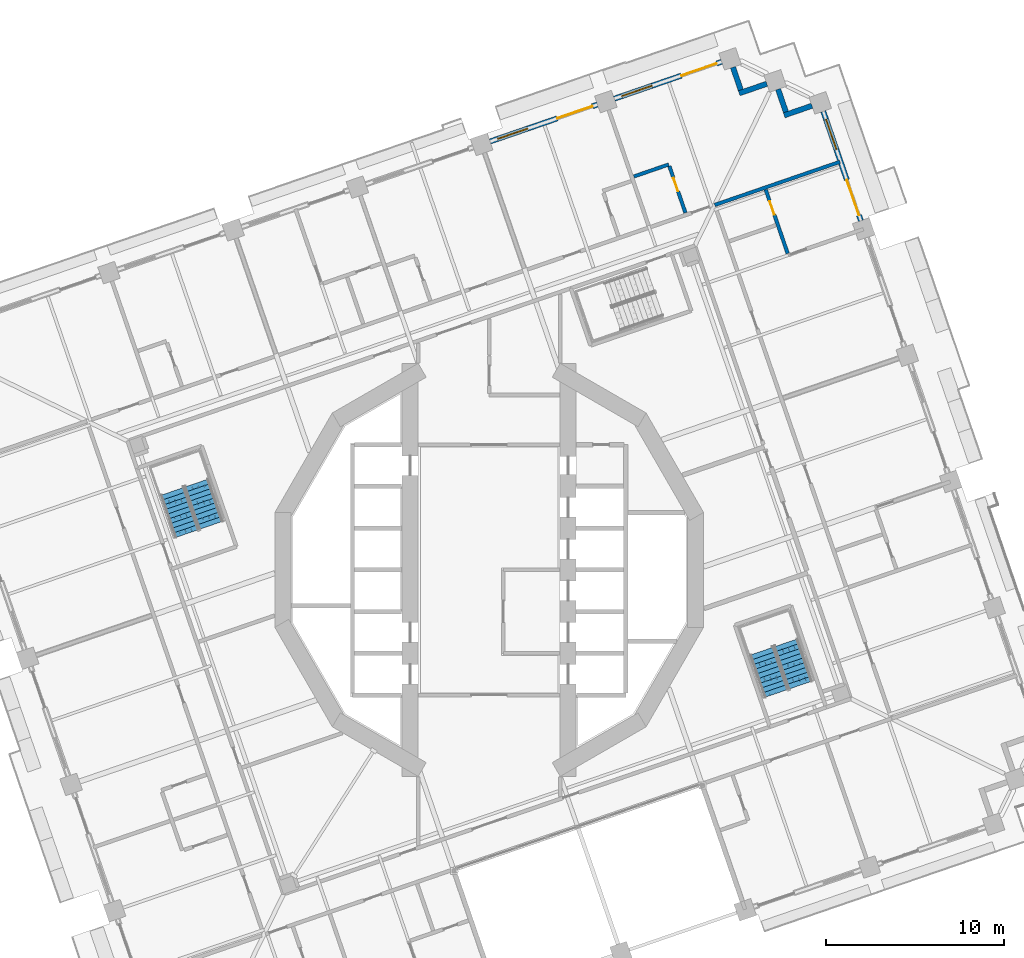
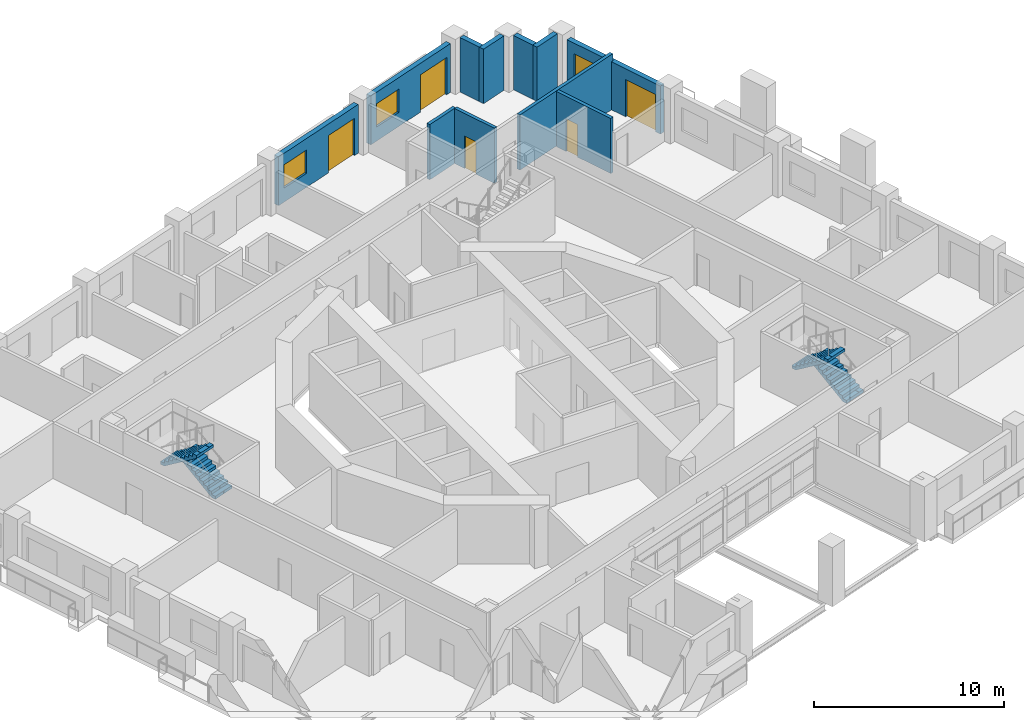
# One storey, part 14 of 22: 11 walls, 5 doors, 4 stair flights, 3 windows, 8 openings, 2 elements without a shape of their own.
"""IFC4 building model written with IfcOpenShell, lengths in metres."""

from ifc_helpers import new_model, si_unit, direction, frame, frame_2d, origin, place, context, subcontext, project, spatial, polyline, rectangle, outline, extrude, material, layer, layer_set, type_object, element, fill, aggregate, save


model = new_model("IFC4")

# Units and contexts
model_context = context("Model", 3, precision=1e-05, world=origin(), true_north=direction((0.0, 1.0)))
body_context = subcontext(model_context, "Body", "Model", "MODEL_VIEW")
ifc_project = project(units=[si_unit("LENGTHUNIT", "METRE"), si_unit("AREAUNIT", "SQUARE_METRE"), si_unit("VOLUMEUNIT", "CUBIC_METRE"), si_unit("PLANEANGLEUNIT", "RADIAN"), si_unit("MASSUNIT", "GRAM", prefix="KILO")], contexts=[model_context])

# Site, building, storey
site_placement = place(None, origin())
site = spatial("IfcSite", under=ifc_project, at=site_placement, CompositionType="ELEMENT")
building_placement = place(site_placement, origin())
building = spatial("IfcBuilding", under=site, at=building_placement, Name="Cantera Rosa Tower", CompositionType="ELEMENT")
storey_placement = place(building_placement, frame((0.0, 0.0, 104.10009765625)))
storey = spatial("IfcBuildingStorey", under=building, at=storey_placement, Name="L20", CompositionType="ELEMENT", Elevation=104.10009765625)

# Walls
ifc_material_1 = material(Name="Hollow clay masonry with cantera stone cladding", Category="masonry")
ifc_layer_1 = layer(ifc_material_1, 0.300048828125)
ifc_layer_set_1 = layer_set([ifc_layer_1], Name="EW-LOGGIA 300")
wall_type_1 = type_object("IfcWallType", Name="EW-LOGGIA 300", PredefinedType="SOLIDWALL", material=ifc_layer_set_1)
wall_1_placement = place(storey_placement, frame((18.17919921875, 26.142822265625, 0.0), z_axis=(0.0, 0.0, 1.0), x_axis=(-0.945530119553, -0.32553462645, 0.0)))
element("IfcWall", 1, at=wall_1_placement, inside=storey, type_object=wall_type_1, Name="EN-L20-W06a", PredefinedType="SOLIDWALL", context=body_context, shape_type="SweptSolid", body=[
    extrude(rectangle(XDim=1.64990234375, YDim=0.300048828125, at=frame_2d((0.824951171875, 0.0))), origin(), (0.0, 0.0, 1.0), 3.5),
])
wall_2_placement = place(storey_placement, frame((16.7119140625, 25.79638671875, 0.0), z_axis=(0.0, 0.0, 1.0), x_axis=(-0.325544748006, 0.945526634763, 0.0)))
element("IfcWall", 2, at=wall_2_placement, inside=storey, type_object=wall_type_1, Name="EN-L20-W06b", PredefinedType="SOLIDWALL", context=body_context, shape_type="SweptSolid", body=[
    extrude(rectangle(XDim=1.349853515625, YDim=0.300048828125, at=frame_2d((0.6748046875, 0.0))), origin(), (0.0, 0.0, 1.0), 3.5),
])
wall_3_placement = place(storey_placement, frame((15.636962890625, 27.3828125, 0.0), z_axis=(0.0, 0.0, 1.0), x_axis=(-0.945484566827, -0.325666906351, 0.0)))
element("IfcWall", 3, at=wall_3_placement, inside=storey, type_object=wall_type_1, Name="EN-L20-W07a", PredefinedType="SOLIDWALL", context=body_context, shape_type="SweptSolid", body=[
    extrude(rectangle(XDim=1.64990234375, YDim=0.300048828125, at=frame_2d((0.824951171875, 0.0))), origin(), (0.0, 0.0, 1.0), 3.5),
])
wall_4_placement = place(storey_placement, frame((14.169921875, 27.0361328125, 0.0), z_axis=(0.0, 0.0, 1.0), x_axis=(-0.325650742363, 0.945490134268, 0.0)))
element("IfcWall", 4, at=wall_4_placement, inside=storey, type_object=wall_type_1, Name="EN-L20-W07b", PredefinedType="SOLIDWALL", context=body_context, shape_type="SweptSolid", body=[
    extrude(rectangle(XDim=1.35009765625, YDim=0.300048828125, at=frame_2d((0.675048828125, 0.0))), origin(), (0.0, 0.0, 1.0), 3.5),
])

# Wall, openings, window, door
ifc_material_2 = material(Name="Hollow clay masonry with cantera stone cladding", Category="masonry")
ifc_layer_2 = layer(ifc_material_2, 0.300048828125)
ifc_layer_set_2 = layer_set([ifc_layer_2], Name="EW-LOGGIA 300 H3090")
wall_type_2 = type_object("IfcWallType", Name="EW-LOGGIA 300 H3090", PredefinedType="SOLIDWALL", material=ifc_layer_set_2)
wall_5_placement = place(storey_placement, frame((20.9375, 19.668212890625, 0.0), z_axis=(0.0, 0.0, 1.0), x_axis=(-0.325592517631, 0.945510186335, 0.0)))
wall_5 = element("IfcWall", 5, at=wall_5_placement, inside=storey, type_object=wall_type_2, Name="EN-L20-W05", PredefinedType="SOLIDWALL", context=body_context, shape_type="SweptSolid", body=[
    extrude(rectangle(XDim=6.519775390625, YDim=0.300048828125, at=frame_2d((3.259765625, 0.0))), origin(), (0.0, 0.0, 1.0), 3.08984375),
])
opening_1_placement = place(wall_5_placement, frame((0.330078125, 0.0, 0.0)))
opening_1 = element("IfcOpeningElement", 6, at=opening_1_placement, cuts=wall_5, Name="Opening L20-TD09", PredefinedType="OPENING", context=body_context, shape_type="SweptSolid", body=[
    extrude(rectangle(XDim=2.10009765625, YDim=2.39990234375, at=frame_2d((1.050048828125, 1.199951171875))), frame((0.0, 0.159912109375, 0.0), z_axis=(0.0, -1.0, 0.0), x_axis=(1.0, 0.0, 0.0)), (0.0, 0.0, 1.0), 0.320068359375),
])
opening_2_placement = place(wall_5_placement, frame((4.239990234375, 0.0, 0.89990234375)))
opening_2 = element("IfcOpeningElement", 7, at=opening_2_placement, cuts=wall_5, Name="Opening L20-W10", PredefinedType="OPENING", context=body_context, shape_type="SweptSolid", body=[
    extrude(rectangle(XDim=1.800048828125, YDim=1.5, at=frame_2d((0.89990234375, 0.75))), frame((0.0, 0.159912109375, 0.0), z_axis=(0.0, -1.0, 0.0), x_axis=(1.0, 0.0, 0.0)), (0.0, 0.0, 1.0), 0.320068359375),
])
ifc_material_3 = material(Name="Aluminium frame with clear glass", Category="aluminium")
window_type = type_object("IfcWindowType", Name="Hotel room window 1800x1500", PartitioningType="DOUBLE_PANEL_VERTICAL", PredefinedType="WINDOW", material=ifc_material_3)
window_1_placement = place(opening_2_placement, origin())
window_1 = element("IfcWindow", 8, at=window_1_placement, inside=storey, type_object=window_type, Name="WINDOW L20-W10", OverallHeight=1.5, OverallWidth=1.800048828125, PartitioningType="SINGLE_PANEL", PredefinedType="WINDOW", context=body_context, shape_type="SweptSolid", body=[
    extrude(rectangle(XDim=1.800048828125, YDim=1.5, at=frame_2d((0.89990234375, 0.75))), frame((0.0, 0.030029296875, 0.0), z_axis=(0.0, -1.0, 0.0), x_axis=(1.0, 0.0, 0.0)), (0.0, 0.0, 1.0), 0.06005859375),
])
fill(opening_2, window_1)
ifc_material_4 = material(Name="Aluminium frame with clear glass", Category="aluminium")
door_type_1 = type_object("IfcDoorType", Name="TD-H 2100x2400", OperationType="NOTDEFINED", PredefinedType="DOOR", material=ifc_material_4)
door_1_placement = place(opening_1_placement, origin())
door_1 = element("IfcDoor", 9, at=door_1_placement, inside=storey, type_object=door_type_1, Name="LOGGIA DOOR L20-TD09", OperationType="SLIDING_TO_LEFT", OverallHeight=2.39990234375, OverallWidth=2.10009765625, PredefinedType="DOOR", context=body_context, shape_type="SweptSolid", body=[
    extrude(rectangle(XDim=2.10009765625, YDim=2.39990234375, at=frame_2d((1.050048828125, 1.199951171875))), frame((0.0, 0.02490234375, 0.0), z_axis=(0.0, -1.0, 0.0), x_axis=(1.0, 0.0, 0.0)), (0.0, 0.0, 1.0), 0.050048828125),
])
fill(opening_1, door_1)

ifc_material_5 = material(Name="Hollow clay masonry with cantera stone cladding", Category="masonry")
ifc_layer_3 = layer(ifc_material_5, 0.300048828125)
ifc_layer_set_3 = layer_set([ifc_layer_3], Name="EW-LOGGIA 300 H3140")
wall_type_3 = type_object("IfcWallType", Name="EW-LOGGIA 300 H3140", PredefinedType="SOLIDWALL", material=ifc_layer_set_3)
wall_6_placement = place(storey_placement, frame((13.0947265625, 28.62255859375, 0.0), z_axis=(0.0, 0.0, 1.0), x_axis=(-0.945524496524, -0.325550958337, 0.0)))
wall_6 = element("IfcWall", 10, at=wall_6_placement, inside=storey, type_object=wall_type_3, Name="EN-L20-W08", PredefinedType="SOLIDWALL", context=body_context, shape_type="SweptSolid", body=[
    extrude(rectangle(XDim=6.39990234375, YDim=0.300048828125, at=frame_2d((3.199951171875, 0.0))), origin(), (0.0, 0.0, 1.0), 3.139892578125),
])
opening_3_placement = place(wall_6_placement, frame((0.300048828125, 0.0, 0.0)))
opening_3 = element("IfcOpeningElement", 11, at=opening_3_placement, cuts=wall_6, Name="Opening L20-TD11", PredefinedType="OPENING", context=body_context, shape_type="SweptSolid", body=[
    extrude(rectangle(XDim=2.10009765625, YDim=2.39990234375, at=frame_2d((1.050048828125, 1.199951171875))), frame((0.0, 0.159912109375, 0.0), z_axis=(0.0, -1.0, 0.0), x_axis=(1.0, 0.0, 0.0)), (0.0, 0.0, 1.0), 0.320068359375),
])
opening_4_placement = place(wall_6_placement, frame((4.14990234375, 0.0, 0.89990234375)))
opening_4 = element("IfcOpeningElement", 12, at=opening_4_placement, cuts=wall_6, Name="Opening L20-W12", PredefinedType="OPENING", context=body_context, shape_type="SweptSolid", body=[
    extrude(rectangle(XDim=1.800048828125, YDim=1.5, at=frame_2d((0.89990234375, 0.75))), frame((0.0, 0.159912109375, 0.0), z_axis=(0.0, -1.0, 0.0), x_axis=(1.0, 0.0, 0.0)), (0.0, 0.0, 1.0), 0.320068359375),
])
window_2_placement = place(opening_4_placement, origin())
window_2 = element("IfcWindow", 13, at=window_2_placement, inside=storey, type_object=window_type, Name="WINDOW L20-W12", OverallHeight=1.5, OverallWidth=1.800048828125, PartitioningType="SINGLE_PANEL", PredefinedType="WINDOW", context=body_context, shape_type="SweptSolid", body=[
    extrude(rectangle(XDim=1.800048828125, YDim=1.5, at=frame_2d((0.89990234375, 0.75))), frame((0.0, 0.030029296875, 0.0), z_axis=(0.0, -1.0, 0.0), x_axis=(1.0, 0.0, 0.0)), (0.0, 0.0, 1.0), 0.06005859375),
])
fill(opening_4, window_2)
door_2_placement = place(opening_3_placement, origin())
door_2 = element("IfcDoor", 14, at=door_2_placement, inside=storey, type_object=door_type_1, Name="LOGGIA DOOR L20-TD11", OperationType="SLIDING_TO_LEFT", OverallHeight=2.39990234375, OverallWidth=2.10009765625, PredefinedType="DOOR", context=body_context, shape_type="SweptSolid", body=[
    extrude(rectangle(XDim=2.10009765625, YDim=2.39990234375, at=frame_2d((1.050048828125, 1.199951171875))), frame((0.0, 0.02490234375, 0.0), z_axis=(0.0, -1.0, 0.0), x_axis=(1.0, 0.0, 0.0)), (0.0, 0.0, 1.0), 0.050048828125),
])
fill(opening_3, door_2)

wall_7_placement = place(storey_placement, frame((6.097900390625, 26.21337890625, 0.0), z_axis=(0.0, 0.0, 1.0), x_axis=(-0.945524496524, -0.325550958337, 0.0)))
wall_7 = element("IfcWall", 15, at=wall_7_placement, inside=storey, type_object=wall_type_3, Name="EN-L20-W09", PredefinedType="SOLIDWALL", context=body_context, shape_type="SweptSolid", body=[
    extrude(rectangle(XDim=6.39990234375, YDim=0.300048828125, at=frame_2d((3.199951171875, 0.0))), origin(), (0.0, 0.0, 1.0), 3.139892578125),
])
opening_5_placement = place(wall_7_placement, frame((0.300048828125, 0.0, 0.0)))
opening_5 = element("IfcOpeningElement", 16, at=opening_5_placement, cuts=wall_7, Name="Opening L20-TD13", PredefinedType="OPENING", context=body_context, shape_type="SweptSolid", body=[
    extrude(rectangle(XDim=2.10009765625, YDim=2.39990234375, at=frame_2d((1.050048828125, 1.199951171875))), frame((0.0, 0.159912109375, 0.0), z_axis=(0.0, -1.0, 0.0), x_axis=(1.0, 0.0, 0.0)), (0.0, 0.0, 1.0), 0.320068359375),
])
opening_6_placement = place(wall_7_placement, frame((4.14990234375, 0.0, 0.89990234375)))
opening_6 = element("IfcOpeningElement", 17, at=opening_6_placement, cuts=wall_7, Name="Opening L20-W14", PredefinedType="OPENING", context=body_context, shape_type="SweptSolid", body=[
    extrude(rectangle(XDim=1.800048828125, YDim=1.5, at=frame_2d((0.89990234375, 0.75))), frame((0.0, 0.159912109375, 0.0), z_axis=(0.0, -1.0, 0.0), x_axis=(1.0, 0.0, 0.0)), (0.0, 0.0, 1.0), 0.320068359375),
])
window_3_placement = place(opening_6_placement, origin())
window_3 = element("IfcWindow", 18, at=window_3_placement, inside=storey, type_object=window_type, Name="WINDOW L20-W14", OverallHeight=1.5, OverallWidth=1.800048828125, PartitioningType="SINGLE_PANEL", PredefinedType="WINDOW", context=body_context, shape_type="SweptSolid", body=[
    extrude(rectangle(XDim=1.800048828125, YDim=1.5, at=frame_2d((0.89990234375, 0.75))), frame((0.0, 0.030029296875, 0.0), z_axis=(0.0, -1.0, 0.0), x_axis=(1.0, 0.0, 0.0)), (0.0, 0.0, 1.0), 0.06005859375),
])
fill(opening_6, window_3)
door_3_placement = place(opening_5_placement, origin())
door_3 = element("IfcDoor", 19, at=door_3_placement, inside=storey, type_object=door_type_1, Name="LOGGIA DOOR L20-TD13", OperationType="SLIDING_TO_LEFT", OverallHeight=2.39990234375, OverallWidth=2.10009765625, PredefinedType="DOOR", context=body_context, shape_type="SweptSolid", body=[
    extrude(rectangle(XDim=2.10009765625, YDim=2.39990234375, at=frame_2d((1.050048828125, 1.199951171875))), frame((0.0, 0.02490234375, 0.0), z_axis=(0.0, -1.0, 0.0), x_axis=(1.0, 0.0, 0.0)), (0.0, 0.0, 1.0), 0.050048828125),
])
fill(opening_5, door_3)

# Wall
ifc_material_6 = material(Name="Gypsum board partition")
ifc_layer_4 = layer(ifc_material_6, 0.199951171875)
ifc_layer_set_4 = layer_set([ifc_layer_4], Name="PARTITION 200 H3550")
wall_type_4 = type_object("IfcWallType", Name="PARTITION 200 H3550", PredefinedType="PARTITIONING", material=ifc_layer_set_4)
wall_8_placement = place(storey_placement, frame((8.149169921875, 22.160400390625, 0.0), z_axis=(0.0, 0.0, 1.0), x_axis=(0.94551508012, 0.32557830589, 0.0)))
element("IfcWall", 20, at=wall_8_placement, inside=storey, type_object=wall_type_4, Name="PARTITION L20-081", PredefinedType="PARTITIONING", context=body_context, shape_type="SweptSolid", body=[
    extrude(rectangle(XDim=2.080078125, YDim=0.199951171875, at=frame_2d((1.0400390625, 0.0))), origin(), (0.0, 0.0, 1.0), 3.5498046875),
])

# Wall, opening, door
wall_9_placement = place(storey_placement, frame((10.1484375, 22.7431640625, 0.0), z_axis=(0.0, 0.0, 1.0), x_axis=(0.325617188453, -0.945501690418, 0.0)))
wall_9 = element("IfcWall", 21, at=wall_9_placement, inside=storey, type_object=wall_type_4, Name="PARTITION L20-082", PredefinedType="PARTITIONING", context=body_context, shape_type="SweptSolid", body=[
    extrude(rectangle(XDim=2.7802734375, YDim=0.199951171875, at=frame_2d((1.39013671875, 0.0))), origin(), (0.0, 0.0, 1.0), 3.5498046875),
])
opening_7_placement = place(wall_9_placement, frame((0.699951171875, 0.0, 0.0)))
opening_7 = element("IfcOpeningElement", 22, at=opening_7_placement, cuts=wall_9, Name="Opening L20-034", PredefinedType="OPENING", context=body_context, shape_type="SweptSolid", body=[
    extrude(rectangle(XDim=0.800048828125, YDim=2.10009765625, at=frame_2d((0.39990234375, 1.050048828125))), frame((0.0, 0.10986328125, 0.0), z_axis=(0.0, -1.0, 0.0), x_axis=(1.0, 0.0, 0.0)), (0.0, 0.0, 1.0), 0.219970703125),
])
ifc_material_7 = material(Name="Timber door leaf", Category="wood")
door_type_2 = type_object("IfcDoorType", Name="BATHROOM DOOR 800x2100", OperationType="NOTDEFINED", PredefinedType="DOOR", material=ifc_material_7)
door_4_placement = place(opening_7_placement, origin())
door_4 = element("IfcDoor", 23, at=door_4_placement, inside=storey, type_object=door_type_2, Name="DOOR L20-034", OperationType="NOTDEFINED", OverallHeight=2.10009765625, OverallWidth=0.800048828125, PredefinedType="DOOR", context=body_context, shape_type="SweptSolid", body=[
    extrude(rectangle(XDim=0.800048828125, YDim=2.10009765625, at=frame_2d((0.39990234375, 1.050048828125))), frame((0.0, 0.02490234375, 0.0), z_axis=(0.0, -1.0, 0.0), x_axis=(1.0, 0.0, 0.0)), (0.0, 0.0, 1.0), 0.050048828125),
])
fill(opening_7, door_4)

wall_10_placement = place(storey_placement, frame((16.812744140625, 17.82470703125, 0.0), z_axis=(0.0, 0.0, 1.0), x_axis=(-0.325541188315, 0.945527860357, 0.0)))
wall_10 = element("IfcWall", 24, at=wall_10_placement, inside=storey, type_object=wall_type_4, Name="PARTITION L20-099", PredefinedType="PARTITIONING", context=body_context, shape_type="SweptSolid", body=[
    extrude(rectangle(XDim=3.800048828125, YDim=0.199951171875, at=frame_2d((1.89990234375, 0.0))), origin(), (0.0, 0.0, 1.0), 3.5498046875),
])
opening_8_placement = place(wall_10_placement, frame((2.31005859375, 0.0, 0.0)))
opening_8 = element("IfcOpeningElement", 25, at=opening_8_placement, cuts=wall_10, Name="Opening L20-023", PredefinedType="OPENING", context=body_context, shape_type="SweptSolid", body=[
    extrude(rectangle(XDim=0.800048828125, YDim=2.10009765625, at=frame_2d((0.39990234375, 1.050048828125))), frame((0.0, 0.10986328125, 0.0), z_axis=(0.0, -1.0, 0.0), x_axis=(1.0, 0.0, 0.0)), (0.0, 0.0, 1.0), 0.219970703125),
])
door_5_placement = place(opening_8_placement, origin())
door_5 = element("IfcDoor", 26, at=door_5_placement, inside=storey, type_object=door_type_2, Name="DOOR L20-023", OperationType="NOTDEFINED", OverallHeight=2.10009765625, OverallWidth=0.800048828125, PredefinedType="DOOR", context=body_context, shape_type="SweptSolid", body=[
    extrude(rectangle(XDim=0.800048828125, YDim=2.10009765625, at=frame_2d((0.39990234375, 1.050048828125))), frame((0.0, 0.02490234375, 0.0), z_axis=(0.0, -1.0, 0.0), x_axis=(1.0, 0.0, 0.0)), (0.0, 0.0, 1.0), 0.050048828125),
])
fill(opening_8, door_5)

# Wall
ifc_material_8 = material(Name="Gypsum board partition")
ifc_layer_5 = layer(ifc_material_8, 0.199951171875)
ifc_layer_set_5 = layer_set([ifc_layer_5], Name="PARTY WALL 200 H3550")
wall_type_5 = type_object("IfcWallType", Name="PARTY WALL 200 H3550", PredefinedType="PARTITIONING", material=ifc_layer_set_5)
wall_11_placement = place(storey_placement, frame((12.699951171875, 20.5546875, 0.0), z_axis=(0.0, 0.0, 1.0), x_axis=(0.945522578269, 0.325556529628, 0.0)))
element("IfcWall", 27, at=wall_11_placement, inside=storey, type_object=wall_type_5, Name="PARTY WALL L20-089", PredefinedType="PARTITIONING", context=body_context, shape_type="SweptSolid", body=[
    extrude(rectangle(XDim=7.469970703125, YDim=0.199951171875, at=frame_2d((3.73486328125, 0.0))), origin(), (0.0, 0.0, 1.0), 3.5498046875),
])

# Stair, stair flights
ifc_material_9 = material(Name="Concrete C35/45", Category="concrete")
stair_type = type_object("IfcStairType", Name="EXIT STAIR 1350 DOGLEG", PredefinedType="HALF_TURN_STAIR", material=ifc_material_9)
stair_1_placement = place(storey_placement, origin())
stair_1 = element("IfcStair", 28, at=stair_1_placement, inside=storey, type_object=stair_type, Name="L20 ST-22", PredefinedType="HALF_TURN_STAIR")
ifc_material_10 = material(Name="Concrete C35/45", Category="concrete")
stair_flight_type = type_object("IfcStairFlightType", Name="STAIR FLIGHT 1350 R20x190", PredefinedType="STRAIGHT", material=ifc_material_10)
stair_flight_1_placement = place(storey_placement, frame((-15.635009765625, 2.5205078125, 0.0), z_axis=(0.0, 0.0, 1.0), x_axis=(-0.325568154457, 0.945518575599, 0.0)))
stair_flight_1 = element("IfcStairFlight", 29, at=stair_flight_1_placement, type_object=stair_flight_type, Name="ST-22 flight 1", NumberOfRisers=10, NumberOfTreads=9, PredefinedType="STRAIGHT", RiserHeight=0.19, TreadLength=0.28, context=body_context, shape_type="SweptSolid", body=[
    extrude(outline(polyline([(0.0, 0.0), (0.0, 0.18994140625), (0.280029296875, 0.18994140625), (0.280029296875, 0.3798828125), (0.56005859375, 0.3798828125), (0.56005859375, 0.570068359375), (0.840087890625, 0.570068359375), (0.840087890625, 0.760009765625), (1.1201171875, 0.760009765625), (1.1201171875, 0.949951171875), (1.39990234375, 0.949951171875), (1.39990234375, 1.139892578125), (1.679931640625, 1.139892578125), (1.679931640625, 1.330078125), (1.9599609375, 1.330078125), (1.9599609375, 1.52001953125), (2.239990234375, 1.52001953125), (2.239990234375, 1.7099609375), (2.52001953125, 1.7099609375), (2.52001953125, 1.89990234375), (2.52001953125, 1.52880859375), (0.266845703125, 0.0), (0.0, 0.0)])), frame((0.0, 0.675048828125, 0.0), z_axis=(0.0, -1.0, 0.0), x_axis=(1.0, 0.0, 0.0)), (0.0, 0.0, 1.0), 0.3359375),
    extrude(outline(polyline([(0.0, 0.0), (0.0, 0.18994140625), (0.280029296875, 0.18994140625), (0.280029296875, 0.3798828125), (0.56005859375, 0.3798828125), (0.56005859375, 0.570068359375), (0.840087890625, 0.570068359375), (0.840087890625, 0.760009765625), (1.1201171875, 0.760009765625), (1.1201171875, 0.949951171875), (1.39990234375, 0.949951171875), (1.39990234375, 1.139892578125), (1.679931640625, 1.139892578125), (1.679931640625, 1.330078125), (1.9599609375, 1.330078125), (1.9599609375, 1.52001953125), (2.239990234375, 1.52001953125), (2.239990234375, 1.7099609375), (2.52001953125, 1.7099609375), (2.52001953125, 1.89990234375), (2.52001953125, 1.52880859375), (0.266845703125, 0.0), (0.0, 0.0)])), frame((0.0, 0.337158203125, 0.0), z_axis=(0.0, -1.0, 0.0), x_axis=(1.0, 0.0, 0.0)), (0.0, 0.0, 1.0), 0.3359375),
    extrude(outline(polyline([(0.0, 0.0), (0.0, 0.18994140625), (0.280029296875, 0.18994140625), (0.280029296875, 0.3798828125), (0.56005859375, 0.3798828125), (0.56005859375, 0.570068359375), (0.840087890625, 0.570068359375), (0.840087890625, 0.760009765625), (1.1201171875, 0.760009765625), (1.1201171875, 0.949951171875), (1.39990234375, 0.949951171875), (1.39990234375, 1.139892578125), (1.679931640625, 1.139892578125), (1.679931640625, 1.330078125), (1.9599609375, 1.330078125), (1.9599609375, 1.52001953125), (2.239990234375, 1.52001953125), (2.239990234375, 1.7099609375), (2.52001953125, 1.7099609375), (2.52001953125, 1.89990234375), (2.52001953125, 1.52880859375), (0.266845703125, 0.0), (0.0, 0.0)])), frame((0.0, -0.000732421875, 0.0), z_axis=(0.0, -1.0, 0.0), x_axis=(1.0, 0.0, 0.0)), (0.0, 0.0, 1.0), 0.3359375),
    extrude(outline(polyline([(0.0, 0.0), (0.0, 0.18994140625), (0.280029296875, 0.18994140625), (0.280029296875, 0.3798828125), (0.56005859375, 0.3798828125), (0.56005859375, 0.570068359375), (0.840087890625, 0.570068359375), (0.840087890625, 0.760009765625), (1.1201171875, 0.760009765625), (1.1201171875, 0.949951171875), (1.39990234375, 0.949951171875), (1.39990234375, 1.139892578125), (1.679931640625, 1.139892578125), (1.679931640625, 1.330078125), (1.9599609375, 1.330078125), (1.9599609375, 1.52001953125), (2.239990234375, 1.52001953125), (2.239990234375, 1.7099609375), (2.52001953125, 1.7099609375), (2.52001953125, 1.89990234375), (2.52001953125, 1.52880859375), (0.266845703125, 0.0), (0.0, 0.0)])), frame((0.0, -0.338623046875, 0.0), z_axis=(0.0, -1.0, 0.0), x_axis=(1.0, 0.0, 0.0)), (0.0, 0.0, 1.0), 0.3359375),
])
stair_flight_2_placement = place(storey_placement, frame((-17.873779296875, 4.414794921875, 1.89990234375), z_axis=(0.0, 0.0, 1.0), x_axis=(0.325568154457, -0.945518575599, 0.0)))
stair_flight_2 = element("IfcStairFlight", 30, at=stair_flight_2_placement, type_object=stair_flight_type, Name="ST-22 flight 2", NumberOfRisers=10, NumberOfTreads=9, PredefinedType="STRAIGHT", RiserHeight=0.19, TreadLength=0.28, context=body_context, shape_type="SweptSolid", body=[
    extrude(outline(polyline([(0.0, 0.0), (0.0, 0.18994140625), (0.280029296875, 0.18994140625), (0.280029296875, 0.3798828125), (0.56005859375, 0.3798828125), (0.56005859375, 0.570068359375), (0.840087890625, 0.570068359375), (0.840087890625, 0.760009765625), (1.1201171875, 0.760009765625), (1.1201171875, 0.949951171875), (1.39990234375, 0.949951171875), (1.39990234375, 1.139892578125), (1.679931640625, 1.139892578125), (1.679931640625, 1.330078125), (1.9599609375, 1.330078125), (1.9599609375, 1.52001953125), (2.239990234375, 1.52001953125), (2.239990234375, 1.7099609375), (2.52001953125, 1.7099609375), (2.52001953125, 1.89990234375), (2.52001953125, 1.52880859375), (0.266845703125, 0.0), (0.0, 0.0)])), frame((0.0, 0.675048828125, 0.0), z_axis=(0.0, -1.0, 0.0), x_axis=(1.0, 0.0, 0.0)), (0.0, 0.0, 1.0), 0.3359375),
    extrude(outline(polyline([(0.0, 0.0), (0.0, 0.18994140625), (0.280029296875, 0.18994140625), (0.280029296875, 0.3798828125), (0.56005859375, 0.3798828125), (0.56005859375, 0.570068359375), (0.840087890625, 0.570068359375), (0.840087890625, 0.760009765625), (1.1201171875, 0.760009765625), (1.1201171875, 0.949951171875), (1.39990234375, 0.949951171875), (1.39990234375, 1.139892578125), (1.679931640625, 1.139892578125), (1.679931640625, 1.330078125), (1.9599609375, 1.330078125), (1.9599609375, 1.52001953125), (2.239990234375, 1.52001953125), (2.239990234375, 1.7099609375), (2.52001953125, 1.7099609375), (2.52001953125, 1.89990234375), (2.52001953125, 1.52880859375), (0.266845703125, 0.0), (0.0, 0.0)])), frame((0.0, 0.337158203125, 0.0), z_axis=(0.0, -1.0, 0.0), x_axis=(1.0, 0.0, 0.0)), (0.0, 0.0, 1.0), 0.3359375),
    extrude(outline(polyline([(0.0, 0.0), (0.0, 0.18994140625), (0.280029296875, 0.18994140625), (0.280029296875, 0.3798828125), (0.56005859375, 0.3798828125), (0.56005859375, 0.570068359375), (0.840087890625, 0.570068359375), (0.840087890625, 0.760009765625), (1.1201171875, 0.760009765625), (1.1201171875, 0.949951171875), (1.39990234375, 0.949951171875), (1.39990234375, 1.139892578125), (1.679931640625, 1.139892578125), (1.679931640625, 1.330078125), (1.9599609375, 1.330078125), (1.9599609375, 1.52001953125), (2.239990234375, 1.52001953125), (2.239990234375, 1.7099609375), (2.52001953125, 1.7099609375), (2.52001953125, 1.89990234375), (2.52001953125, 1.52880859375), (0.266845703125, 0.0), (0.0, 0.0)])), frame((0.0, -0.000732421875, 0.0), z_axis=(0.0, -1.0, 0.0), x_axis=(1.0, 0.0, 0.0)), (0.0, 0.0, 1.0), 0.3359375),
    extrude(outline(polyline([(0.0, 0.0), (0.0, 0.18994140625), (0.280029296875, 0.18994140625), (0.280029296875, 0.3798828125), (0.56005859375, 0.3798828125), (0.56005859375, 0.570068359375), (0.840087890625, 0.570068359375), (0.840087890625, 0.760009765625), (1.1201171875, 0.760009765625), (1.1201171875, 0.949951171875), (1.39990234375, 0.949951171875), (1.39990234375, 1.139892578125), (1.679931640625, 1.139892578125), (1.679931640625, 1.330078125), (1.9599609375, 1.330078125), (1.9599609375, 1.52001953125), (2.239990234375, 1.52001953125), (2.239990234375, 1.7099609375), (2.52001953125, 1.7099609375), (2.52001953125, 1.89990234375), (2.52001953125, 1.52880859375), (0.266845703125, 0.0), (0.0, 0.0)])), frame((0.0, -0.338623046875, 0.0), z_axis=(0.0, -1.0, 0.0), x_axis=(1.0, 0.0, 0.0)), (0.0, 0.0, 1.0), 0.3359375),
])
aggregate(stair_1, [stair_flight_1, stair_flight_2])

stair_2_placement = place(storey_placement, origin())
stair_2 = element("IfcStair", 31, at=stair_2_placement, inside=storey, type_object=stair_type, Name="L20 ST-23", PredefinedType="HALF_TURN_STAIR")
stair_flight_3_placement = place(storey_placement, frame((17.56494140625, -6.4794921875, 0.0), z_axis=(0.0, 0.0, 1.0), x_axis=(-0.325568154457, 0.945518575599, 0.0)))
stair_flight_3 = element("IfcStairFlight", 32, at=stair_flight_3_placement, type_object=stair_flight_type, Name="ST-23 flight 1", NumberOfRisers=10, NumberOfTreads=9, PredefinedType="STRAIGHT", RiserHeight=0.19, TreadLength=0.28, context=body_context, shape_type="SweptSolid", body=[
    extrude(outline(polyline([(0.0, 0.0), (0.0, 0.18994140625), (0.280029296875, 0.18994140625), (0.280029296875, 0.3798828125), (0.56005859375, 0.3798828125), (0.56005859375, 0.570068359375), (0.840087890625, 0.570068359375), (0.840087890625, 0.760009765625), (1.1201171875, 0.760009765625), (1.1201171875, 0.949951171875), (1.39990234375, 0.949951171875), (1.39990234375, 1.139892578125), (1.679931640625, 1.139892578125), (1.679931640625, 1.330078125), (1.9599609375, 1.330078125), (1.9599609375, 1.52001953125), (2.239990234375, 1.52001953125), (2.239990234375, 1.7099609375), (2.52001953125, 1.7099609375), (2.52001953125, 1.89990234375), (2.52001953125, 1.52880859375), (0.266845703125, 0.0), (0.0, 0.0)])), frame((0.0, 0.675048828125, 0.0), z_axis=(0.0, -1.0, 0.0), x_axis=(1.0, 0.0, 0.0)), (0.0, 0.0, 1.0), 0.3359375),
    extrude(outline(polyline([(0.0, 0.0), (0.0, 0.18994140625), (0.280029296875, 0.18994140625), (0.280029296875, 0.3798828125), (0.56005859375, 0.3798828125), (0.56005859375, 0.570068359375), (0.840087890625, 0.570068359375), (0.840087890625, 0.760009765625), (1.1201171875, 0.760009765625), (1.1201171875, 0.949951171875), (1.39990234375, 0.949951171875), (1.39990234375, 1.139892578125), (1.679931640625, 1.139892578125), (1.679931640625, 1.330078125), (1.9599609375, 1.330078125), (1.9599609375, 1.52001953125), (2.239990234375, 1.52001953125), (2.239990234375, 1.7099609375), (2.52001953125, 1.7099609375), (2.52001953125, 1.89990234375), (2.52001953125, 1.52880859375), (0.266845703125, 0.0), (0.0, 0.0)])), frame((0.0, 0.337158203125, 0.0), z_axis=(0.0, -1.0, 0.0), x_axis=(1.0, 0.0, 0.0)), (0.0, 0.0, 1.0), 0.3359375),
    extrude(outline(polyline([(0.0, 0.0), (0.0, 0.18994140625), (0.280029296875, 0.18994140625), (0.280029296875, 0.3798828125), (0.56005859375, 0.3798828125), (0.56005859375, 0.570068359375), (0.840087890625, 0.570068359375), (0.840087890625, 0.760009765625), (1.1201171875, 0.760009765625), (1.1201171875, 0.949951171875), (1.39990234375, 0.949951171875), (1.39990234375, 1.139892578125), (1.679931640625, 1.139892578125), (1.679931640625, 1.330078125), (1.9599609375, 1.330078125), (1.9599609375, 1.52001953125), (2.239990234375, 1.52001953125), (2.239990234375, 1.7099609375), (2.52001953125, 1.7099609375), (2.52001953125, 1.89990234375), (2.52001953125, 1.52880859375), (0.266845703125, 0.0), (0.0, 0.0)])), frame((0.0, -0.000732421875, 0.0), z_axis=(0.0, -1.0, 0.0), x_axis=(1.0, 0.0, 0.0)), (0.0, 0.0, 1.0), 0.3359375),
    extrude(outline(polyline([(0.0, 0.0), (0.0, 0.18994140625), (0.280029296875, 0.18994140625), (0.280029296875, 0.3798828125), (0.56005859375, 0.3798828125), (0.56005859375, 0.570068359375), (0.840087890625, 0.570068359375), (0.840087890625, 0.760009765625), (1.1201171875, 0.760009765625), (1.1201171875, 0.949951171875), (1.39990234375, 0.949951171875), (1.39990234375, 1.139892578125), (1.679931640625, 1.139892578125), (1.679931640625, 1.330078125), (1.9599609375, 1.330078125), (1.9599609375, 1.52001953125), (2.239990234375, 1.52001953125), (2.239990234375, 1.7099609375), (2.52001953125, 1.7099609375), (2.52001953125, 1.89990234375), (2.52001953125, 1.52880859375), (0.266845703125, 0.0), (0.0, 0.0)])), frame((0.0, -0.338623046875, 0.0), z_axis=(0.0, -1.0, 0.0), x_axis=(1.0, 0.0, 0.0)), (0.0, 0.0, 1.0), 0.3359375),
])
stair_flight_4_placement = place(storey_placement, frame((15.326171875, -4.585205078125, 1.89990234375), z_axis=(0.0, 0.0, 1.0), x_axis=(0.325568154457, -0.945518575599, 0.0)))
stair_flight_4 = element("IfcStairFlight", 33, at=stair_flight_4_placement, type_object=stair_flight_type, Name="ST-23 flight 2", NumberOfRisers=10, NumberOfTreads=9, PredefinedType="STRAIGHT", RiserHeight=0.19, TreadLength=0.28, context=body_context, shape_type="SweptSolid", body=[
    extrude(outline(polyline([(0.0, 0.0), (0.0, 0.18994140625), (0.280029296875, 0.18994140625), (0.280029296875, 0.3798828125), (0.56005859375, 0.3798828125), (0.56005859375, 0.570068359375), (0.840087890625, 0.570068359375), (0.840087890625, 0.760009765625), (1.1201171875, 0.760009765625), (1.1201171875, 0.949951171875), (1.39990234375, 0.949951171875), (1.39990234375, 1.139892578125), (1.679931640625, 1.139892578125), (1.679931640625, 1.330078125), (1.9599609375, 1.330078125), (1.9599609375, 1.52001953125), (2.239990234375, 1.52001953125), (2.239990234375, 1.7099609375), (2.52001953125, 1.7099609375), (2.52001953125, 1.89990234375), (2.52001953125, 1.52880859375), (0.266845703125, 0.0), (0.0, 0.0)])), frame((0.0, 0.675048828125, 0.0), z_axis=(0.0, -1.0, 0.0), x_axis=(1.0, 0.0, 0.0)), (0.0, 0.0, 1.0), 0.3359375),
    extrude(outline(polyline([(0.0, 0.0), (0.0, 0.18994140625), (0.280029296875, 0.18994140625), (0.280029296875, 0.3798828125), (0.56005859375, 0.3798828125), (0.56005859375, 0.570068359375), (0.840087890625, 0.570068359375), (0.840087890625, 0.760009765625), (1.1201171875, 0.760009765625), (1.1201171875, 0.949951171875), (1.39990234375, 0.949951171875), (1.39990234375, 1.139892578125), (1.679931640625, 1.139892578125), (1.679931640625, 1.330078125), (1.9599609375, 1.330078125), (1.9599609375, 1.52001953125), (2.239990234375, 1.52001953125), (2.239990234375, 1.7099609375), (2.52001953125, 1.7099609375), (2.52001953125, 1.89990234375), (2.52001953125, 1.52880859375), (0.266845703125, 0.0), (0.0, 0.0)])), frame((0.0, 0.337158203125, 0.0), z_axis=(0.0, -1.0, 0.0), x_axis=(1.0, 0.0, 0.0)), (0.0, 0.0, 1.0), 0.3359375),
    extrude(outline(polyline([(0.0, 0.0), (0.0, 0.18994140625), (0.280029296875, 0.18994140625), (0.280029296875, 0.3798828125), (0.56005859375, 0.3798828125), (0.56005859375, 0.570068359375), (0.840087890625, 0.570068359375), (0.840087890625, 0.760009765625), (1.1201171875, 0.760009765625), (1.1201171875, 0.949951171875), (1.39990234375, 0.949951171875), (1.39990234375, 1.139892578125), (1.679931640625, 1.139892578125), (1.679931640625, 1.330078125), (1.9599609375, 1.330078125), (1.9599609375, 1.52001953125), (2.239990234375, 1.52001953125), (2.239990234375, 1.7099609375), (2.52001953125, 1.7099609375), (2.52001953125, 1.89990234375), (2.52001953125, 1.52880859375), (0.266845703125, 0.0), (0.0, 0.0)])), frame((0.0, -0.000732421875, 0.0), z_axis=(0.0, -1.0, 0.0), x_axis=(1.0, 0.0, 0.0)), (0.0, 0.0, 1.0), 0.3359375),
    extrude(outline(polyline([(0.0, 0.0), (0.0, 0.18994140625), (0.280029296875, 0.18994140625), (0.280029296875, 0.3798828125), (0.56005859375, 0.3798828125), (0.56005859375, 0.570068359375), (0.840087890625, 0.570068359375), (0.840087890625, 0.760009765625), (1.1201171875, 0.760009765625), (1.1201171875, 0.949951171875), (1.39990234375, 0.949951171875), (1.39990234375, 1.139892578125), (1.679931640625, 1.139892578125), (1.679931640625, 1.330078125), (1.9599609375, 1.330078125), (1.9599609375, 1.52001953125), (2.239990234375, 1.52001953125), (2.239990234375, 1.7099609375), (2.52001953125, 1.7099609375), (2.52001953125, 1.89990234375), (2.52001953125, 1.52880859375), (0.266845703125, 0.0), (0.0, 0.0)])), frame((0.0, -0.338623046875, 0.0), z_axis=(0.0, -1.0, 0.0), x_axis=(1.0, 0.0, 0.0)), (0.0, 0.0, 1.0), 0.3359375),
])
aggregate(stair_2, [stair_flight_3, stair_flight_4])

save(model, "model.ifc")
